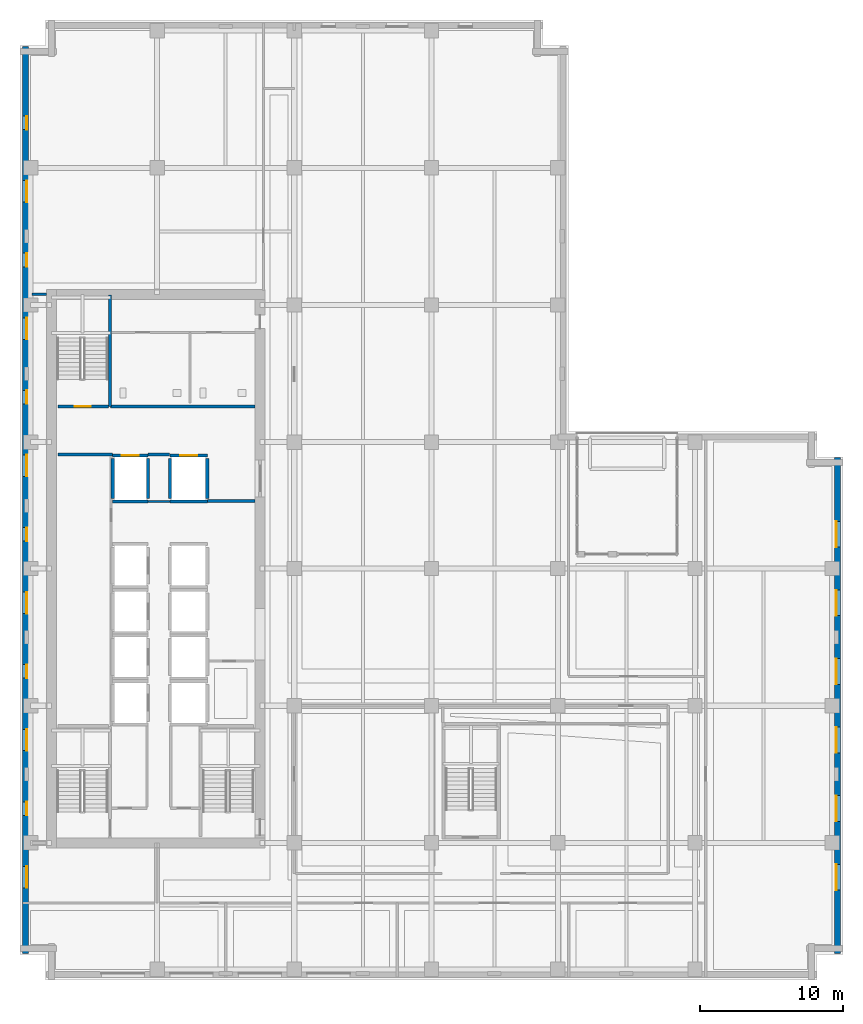
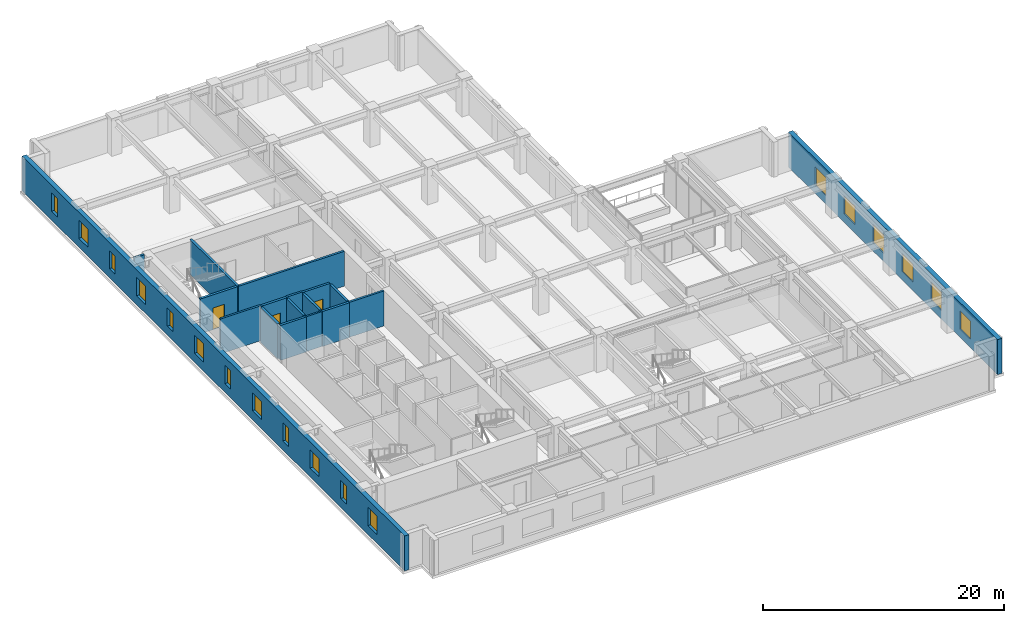
# One storey, part 6 of 16: 18 walls, 18 windows, 3 doors, 21 openings.
"""IFC4 building model written with IfcOpenShell, lengths in metres."""

from ifc_helpers import new_model, si_unit, direction, frame, frame_2d, origin, place, context, subcontext, project, spatial, rectangle, extrude, material, layer, layer_set, type_object, element, fill, save


model = new_model("IFC4")

# Units and contexts
model_context = context("Model", 3, precision=1e-05, world=origin(), true_north=direction((0.0, 1.0)))
body_context = subcontext(model_context, "Body", "Model", "MODEL_VIEW")
ifc_project = project(units=[si_unit("LENGTHUNIT", "METRE"), si_unit("AREAUNIT", "SQUARE_METRE"), si_unit("VOLUMEUNIT", "CUBIC_METRE"), si_unit("PLANEANGLEUNIT", "RADIAN"), si_unit("MASSUNIT", "GRAM", prefix="KILO")], contexts=[model_context])

# Site, building, storey
site_placement = place(None, origin())
site = spatial("IfcSite", under=ifc_project, at=site_placement, CompositionType="ELEMENT")
building_placement = place(site_placement, origin())
building = spatial("IfcBuilding", under=site, at=building_placement, Name="Norrvale University Quadrangle", CompositionType="ELEMENT")
storey_placement = place(building_placement, frame((0.0, 0.0, 112.800048828125)))
storey = spatial("IfcBuildingStorey", under=building, at=storey_placement, Name="L28", CompositionType="ELEMENT", Elevation=112.800048828125)

# Wall, openings, windows
ifc_material_1 = material(Name="Buff Norman Clay Brick Masonry", Category="masonry")
ifc_layer_1 = layer(ifc_material_1, 0.419921875, Name="Buff Norman Clay Brick Masonry")
ifc_layer_set_1 = layer_set([ifc_layer_1], Name="Buff Norman Clay Brick Masonry")
wall_type_1 = type_object("IfcWallType", Name="Wall Buff Brick 420", PredefinedType="SOLIDWALL", material=ifc_layer_set_1)
wall_1_placement = place(storey_placement, frame((57.2099609375, 1.840087890625, 0.0), z_axis=(0.0, 0.0, 1.0), x_axis=(0.0, 1.0, 0.0)))
wall_1 = element("IfcWall", 1, at=wall_1_placement, inside=storey, type_object=wall_type_1, Name="Exterior Brick Facade Wall L28-04.1", PredefinedType="SOLIDWALL", context=body_context, shape_type="SweptSolid", body=[
    extrude(rectangle(XDim=34.719970703125, YDim=0.419921875, at=frame_2d((17.35986328125, 0.0))), origin(), (0.0, 0.0, 1.0), 3.5400390625),
])
opening_1_placement = place(wall_1_placement, frame((4.4599609375, 0.0, 0.85009765625)))
opening_1 = element("IfcOpeningElement", 2, at=opening_1_placement, cuts=wall_1, Name="Opening W01", PredefinedType="OPENING", context=body_context, shape_type="SweptSolid", body=[
    extrude(rectangle(XDim=1.800048828125, YDim=1.85009765625, at=frame_2d((0.89990234375, 0.925048828125))), frame((0.0, 0.221923828125, 0.0), z_axis=(0.0, -1.0, 0.0), x_axis=(1.0, 0.0, 0.0)), (0.0, 0.0, 1.0), 0.44384765625),
])
opening_2_placement = place(wall_1_placement, frame((9.260009765625, 0.0, 0.85009765625)))
opening_2 = element("IfcOpeningElement", 3, at=opening_2_placement, cuts=wall_1, Name="Opening W01", PredefinedType="OPENING", context=body_context, shape_type="SweptSolid", body=[
    extrude(rectangle(XDim=1.800048828125, YDim=1.85009765625, at=frame_2d((0.89990234375, 0.925048828125))), frame((0.0, 0.221923828125, 0.0), z_axis=(0.0, -1.0, 0.0), x_axis=(1.0, 0.0, 0.0)), (0.0, 0.0, 1.0), 0.44384765625),
])
opening_3_placement = place(wall_1_placement, frame((14.06005859375, 0.0, 0.85009765625)))
opening_3 = element("IfcOpeningElement", 4, at=opening_3_placement, cuts=wall_1, Name="Opening W01", PredefinedType="OPENING", context=body_context, shape_type="SweptSolid", body=[
    extrude(rectangle(XDim=1.800048828125, YDim=1.85009765625, at=frame_2d((0.89990234375, 0.925048828125))), frame((0.0, 0.221923828125, 0.0), z_axis=(0.0, -1.0, 0.0), x_axis=(1.0, 0.0, 0.0)), (0.0, 0.0, 1.0), 0.44384765625),
])
opening_4_placement = place(wall_1_placement, frame((18.860107421875, 0.0, 0.85009765625)))
opening_4 = element("IfcOpeningElement", 5, at=opening_4_placement, cuts=wall_1, Name="Opening W01", PredefinedType="OPENING", context=body_context, shape_type="SweptSolid", body=[
    extrude(rectangle(XDim=1.800048828125, YDim=1.85009765625, at=frame_2d((0.89990234375, 0.925048828125))), frame((0.0, 0.221923828125, 0.0), z_axis=(0.0, -1.0, 0.0), x_axis=(1.0, 0.0, 0.0)), (0.0, 0.0, 1.0), 0.44384765625),
])
opening_5_placement = place(wall_1_placement, frame((23.659912109375, 0.0, 0.85009765625)))
opening_5 = element("IfcOpeningElement", 6, at=opening_5_placement, cuts=wall_1, Name="Opening W01", PredefinedType="OPENING", context=body_context, shape_type="SweptSolid", body=[
    extrude(rectangle(XDim=1.800048828125, YDim=1.85009765625, at=frame_2d((0.89990234375, 0.925048828125))), frame((0.0, 0.221923828125, 0.0), z_axis=(0.0, -1.0, 0.0), x_axis=(1.0, 0.0, 0.0)), (0.0, 0.0, 1.0), 0.44384765625),
])
opening_6_placement = place(wall_1_placement, frame((28.4599609375, 0.0, 0.85009765625)))
opening_6 = element("IfcOpeningElement", 7, at=opening_6_placement, cuts=wall_1, Name="Opening W01", PredefinedType="OPENING", context=body_context, shape_type="SweptSolid", body=[
    extrude(rectangle(XDim=1.800048828125, YDim=1.85009765625, at=frame_2d((0.89990234375, 0.925048828125))), frame((0.0, 0.221923828125, 0.0), z_axis=(0.0, -1.0, 0.0), x_axis=(1.0, 0.0, 0.0)), (0.0, 0.0, 1.0), 0.44384765625),
])
ifc_material_2 = material(Name="Triple Low-E Argon Glazing", Category="glass")
window_type_1 = type_object("IfcWindowType", Name="Window Academic 1800x2300", PartitioningType="DOUBLE_PANEL_VERTICAL", PredefinedType="WINDOW", material=ifc_material_2)
window_1_placement = place(opening_1_placement, origin())
window_1 = element("IfcWindow", 8, at=window_1_placement, inside=storey, type_object=window_type_1, Name="Window Academic 1800x2300 WIN-L28-E04-1-01", OverallHeight=1.85009765625, OverallWidth=1.800048828125, PartitioningType="DOUBLE_PANEL_VERTICAL", PredefinedType="WINDOW", context=body_context, shape_type="SweptSolid", body=[
    extrude(rectangle(XDim=1.800048828125, YDim=1.85009765625, at=frame_2d((0.89990234375, 0.925048828125))), frame((0.0, 0.110107421875, 0.0), z_axis=(0.0, -1.0, 0.0), x_axis=(1.0, 0.0, 0.0)), (0.0, 0.0, 1.0), 0.06005859375),
])
fill(opening_1, window_1)
window_2_placement = place(opening_2_placement, origin())
window_2 = element("IfcWindow", 9, at=window_2_placement, inside=storey, type_object=window_type_1, Name="Window Academic 1800x2300 WIN-L28-E04-1-02", OverallHeight=1.85009765625, OverallWidth=1.800048828125, PartitioningType="DOUBLE_PANEL_VERTICAL", PredefinedType="WINDOW", context=body_context, shape_type="SweptSolid", body=[
    extrude(rectangle(XDim=1.800048828125, YDim=1.85009765625, at=frame_2d((0.89990234375, 0.925048828125))), frame((0.0, 0.110107421875, 0.0), z_axis=(0.0, -1.0, 0.0), x_axis=(1.0, 0.0, 0.0)), (0.0, 0.0, 1.0), 0.06005859375),
])
fill(opening_2, window_2)
window_3_placement = place(opening_3_placement, origin())
window_3 = element("IfcWindow", 10, at=window_3_placement, inside=storey, type_object=window_type_1, Name="Window Academic 1800x2300 WIN-L28-E04-1-03", OverallHeight=1.85009765625, OverallWidth=1.800048828125, PartitioningType="DOUBLE_PANEL_VERTICAL", PredefinedType="WINDOW", context=body_context, shape_type="SweptSolid", body=[
    extrude(rectangle(XDim=1.800048828125, YDim=1.85009765625, at=frame_2d((0.89990234375, 0.925048828125))), frame((0.0, 0.110107421875, 0.0), z_axis=(0.0, -1.0, 0.0), x_axis=(1.0, 0.0, 0.0)), (0.0, 0.0, 1.0), 0.06005859375),
])
fill(opening_3, window_3)
window_4_placement = place(opening_4_placement, origin())
window_4 = element("IfcWindow", 11, at=window_4_placement, inside=storey, type_object=window_type_1, Name="Window Academic 1800x2300 WIN-L28-E04-1-04", OverallHeight=1.85009765625, OverallWidth=1.800048828125, PartitioningType="DOUBLE_PANEL_VERTICAL", PredefinedType="WINDOW", context=body_context, shape_type="SweptSolid", body=[
    extrude(rectangle(XDim=1.800048828125, YDim=1.85009765625, at=frame_2d((0.89990234375, 0.925048828125))), frame((0.0, 0.110107421875, 0.0), z_axis=(0.0, -1.0, 0.0), x_axis=(1.0, 0.0, 0.0)), (0.0, 0.0, 1.0), 0.06005859375),
])
fill(opening_4, window_4)
window_5_placement = place(opening_5_placement, origin())
window_5 = element("IfcWindow", 12, at=window_5_placement, inside=storey, type_object=window_type_1, Name="Window Academic 1800x2300 WIN-L28-E04-1-05", OverallHeight=1.85009765625, OverallWidth=1.800048828125, PartitioningType="DOUBLE_PANEL_VERTICAL", PredefinedType="WINDOW", context=body_context, shape_type="SweptSolid", body=[
    extrude(rectangle(XDim=1.800048828125, YDim=1.85009765625, at=frame_2d((0.89990234375, 0.925048828125))), frame((0.0, 0.110107421875, 0.0), z_axis=(0.0, -1.0, 0.0), x_axis=(1.0, 0.0, 0.0)), (0.0, 0.0, 1.0), 0.06005859375),
])
fill(opening_5, window_5)
window_6_placement = place(opening_6_placement, origin())
window_6 = element("IfcWindow", 13, at=window_6_placement, inside=storey, type_object=window_type_1, Name="Window Academic 1800x2300 WIN-L28-E04-1-06", OverallHeight=1.85009765625, OverallWidth=1.800048828125, PartitioningType="DOUBLE_PANEL_VERTICAL", PredefinedType="WINDOW", context=body_context, shape_type="SweptSolid", body=[
    extrude(rectangle(XDim=1.800048828125, YDim=1.85009765625, at=frame_2d((0.89990234375, 0.925048828125))), frame((0.0, 0.110107421875, 0.0), z_axis=(0.0, -1.0, 0.0), x_axis=(1.0, 0.0, 0.0)), (0.0, 0.0, 1.0), 0.06005859375),
])
fill(opening_6, window_6)

wall_2_placement = place(storey_placement, frame((0.389892578125, 65.360107421875, 0.0), z_axis=(0.0, 0.0, 1.0), x_axis=(0.0, -1.0, 0.0)))
wall_2 = element("IfcWall", 14, at=wall_2_placement, inside=storey, type_object=wall_type_1, Name="Exterior Brick Facade Wall L28-14.1", PredefinedType="SOLIDWALL", context=body_context, shape_type="SweptSolid", body=[
    extrude(rectangle(XDim=63.52001953125, YDim=0.419921875, at=frame_2d((31.760009765625, 0.0))), origin(), (0.0, 0.0, 1.0), 3.5400390625),
])
opening_7_placement = place(wall_2_placement, frame((4.885009765625, 0.0, 0.89990234375)))
opening_7 = element("IfcOpeningElement", 15, at=opening_7_placement, cuts=wall_2, Name="Opening W04", PredefinedType="OPENING", context=body_context, shape_type="SweptSolid", body=[
    extrude(rectangle(XDim=0.949951171875, YDim=1.85009765625, at=frame_2d((0.47509765625, 0.925048828125))), frame((0.0, 0.221923828125, 0.0), z_axis=(0.0, -1.0, 0.0), x_axis=(1.0, 0.0, 0.0)), (0.0, 0.0, 1.0), 0.44384765625),
])
opening_8_placement = place(wall_2_placement, frame((9.409912109375, 0.0, 0.89990234375)))
opening_8 = element("IfcOpeningElement", 16, at=opening_8_placement, cuts=wall_2, Name="Opening W03", PredefinedType="OPENING", context=body_context, shape_type="SweptSolid", body=[
    extrude(rectangle(XDim=1.5, YDim=1.85009765625, at=frame_2d((0.75, 0.925048828125))), frame((0.0, 0.221923828125, 0.0), z_axis=(0.0, -1.0, 0.0), x_axis=(1.0, 0.0, 0.0)), (0.0, 0.0, 1.0), 0.44384765625),
])
opening_9_placement = place(wall_2_placement, frame((14.485107421875, 0.0, 0.89990234375)))
opening_9 = element("IfcOpeningElement", 17, at=opening_9_placement, cuts=wall_2, Name="Opening W04", PredefinedType="OPENING", context=body_context, shape_type="SweptSolid", body=[
    extrude(rectangle(XDim=0.949951171875, YDim=1.85009765625, at=frame_2d((0.47509765625, 0.925048828125))), frame((0.0, 0.221923828125, 0.0), z_axis=(0.0, -1.0, 0.0), x_axis=(1.0, 0.0, 0.0)), (0.0, 0.0, 1.0), 0.44384765625),
])
opening_10_placement = place(wall_2_placement, frame((19.010009765625, 0.0, 0.89990234375)))
opening_10 = element("IfcOpeningElement", 18, at=opening_10_placement, cuts=wall_2, Name="Opening W03", PredefinedType="OPENING", context=body_context, shape_type="SweptSolid", body=[
    extrude(rectangle(XDim=1.5, YDim=1.85009765625, at=frame_2d((0.75, 0.925048828125))), frame((0.0, 0.221923828125, 0.0), z_axis=(0.0, -1.0, 0.0), x_axis=(1.0, 0.0, 0.0)), (0.0, 0.0, 1.0), 0.44384765625),
])
opening_11_placement = place(wall_2_placement, frame((24.0849609375, 0.0, 0.89990234375)))
opening_11 = element("IfcOpeningElement", 19, at=opening_11_placement, cuts=wall_2, Name="Opening W04", PredefinedType="OPENING", context=body_context, shape_type="SweptSolid", body=[
    extrude(rectangle(XDim=0.949951171875, YDim=1.85009765625, at=frame_2d((0.47509765625, 0.925048828125))), frame((0.0, 0.221923828125, 0.0), z_axis=(0.0, -1.0, 0.0), x_axis=(1.0, 0.0, 0.0)), (0.0, 0.0, 1.0), 0.44384765625),
])
opening_12_placement = place(wall_2_placement, frame((28.610107421875, 0.0, 0.89990234375)))
opening_12 = element("IfcOpeningElement", 20, at=opening_12_placement, cuts=wall_2, Name="Opening W03", PredefinedType="OPENING", context=body_context, shape_type="SweptSolid", body=[
    extrude(rectangle(XDim=1.5, YDim=1.85009765625, at=frame_2d((0.75, 0.925048828125))), frame((0.0, 0.221923828125, 0.0), z_axis=(0.0, -1.0, 0.0), x_axis=(1.0, 0.0, 0.0)), (0.0, 0.0, 1.0), 0.44384765625),
])
opening_13_placement = place(wall_2_placement, frame((33.68505859375, 0.0, 0.89990234375)))
opening_13 = element("IfcOpeningElement", 21, at=opening_13_placement, cuts=wall_2, Name="Opening W04", PredefinedType="OPENING", context=body_context, shape_type="SweptSolid", body=[
    extrude(rectangle(XDim=0.949951171875, YDim=1.85009765625, at=frame_2d((0.47509765625, 0.925048828125))), frame((0.0, 0.221923828125, 0.0), z_axis=(0.0, -1.0, 0.0), x_axis=(1.0, 0.0, 0.0)), (0.0, 0.0, 1.0), 0.44384765625),
])
opening_14_placement = place(wall_2_placement, frame((38.2099609375, 0.0, 0.89990234375)))
opening_14 = element("IfcOpeningElement", 22, at=opening_14_placement, cuts=wall_2, Name="Opening W03", PredefinedType="OPENING", context=body_context, shape_type="SweptSolid", body=[
    extrude(rectangle(XDim=1.5, YDim=1.85009765625, at=frame_2d((0.75, 0.925048828125))), frame((0.0, 0.221923828125, 0.0), z_axis=(0.0, -1.0, 0.0), x_axis=(1.0, 0.0, 0.0)), (0.0, 0.0, 1.0), 0.44384765625),
])
opening_15_placement = place(wall_2_placement, frame((43.284912109375, 0.0, 0.89990234375)))
opening_15 = element("IfcOpeningElement", 23, at=opening_15_placement, cuts=wall_2, Name="Opening W04", PredefinedType="OPENING", context=body_context, shape_type="SweptSolid", body=[
    extrude(rectangle(XDim=0.949951171875, YDim=1.85009765625, at=frame_2d((0.47509765625, 0.925048828125))), frame((0.0, 0.221923828125, 0.0), z_axis=(0.0, -1.0, 0.0), x_axis=(1.0, 0.0, 0.0)), (0.0, 0.0, 1.0), 0.44384765625),
])
opening_16_placement = place(wall_2_placement, frame((47.81005859375, 0.0, 0.89990234375)))
opening_16 = element("IfcOpeningElement", 24, at=opening_16_placement, cuts=wall_2, Name="Opening W03", PredefinedType="OPENING", context=body_context, shape_type="SweptSolid", body=[
    extrude(rectangle(XDim=1.5, YDim=1.85009765625, at=frame_2d((0.75, 0.925048828125))), frame((0.0, 0.221923828125, 0.0), z_axis=(0.0, -1.0, 0.0), x_axis=(1.0, 0.0, 0.0)), (0.0, 0.0, 1.0), 0.44384765625),
])
opening_17_placement = place(wall_2_placement, frame((52.885009765625, 0.0, 0.89990234375)))
opening_17 = element("IfcOpeningElement", 25, at=opening_17_placement, cuts=wall_2, Name="Opening W04", PredefinedType="OPENING", context=body_context, shape_type="SweptSolid", body=[
    extrude(rectangle(XDim=0.949951171875, YDim=1.85009765625, at=frame_2d((0.47509765625, 0.925048828125))), frame((0.0, 0.221923828125, 0.0), z_axis=(0.0, -1.0, 0.0), x_axis=(1.0, 0.0, 0.0)), (0.0, 0.0, 1.0), 0.44384765625),
])
opening_18_placement = place(wall_2_placement, frame((57.409912109375, 0.0, 0.89990234375)))
opening_18 = element("IfcOpeningElement", 26, at=opening_18_placement, cuts=wall_2, Name="Opening W03", PredefinedType="OPENING", context=body_context, shape_type="SweptSolid", body=[
    extrude(rectangle(XDim=1.5, YDim=1.85009765625, at=frame_2d((0.75, 0.925048828125))), frame((0.0, 0.221923828125, 0.0), z_axis=(0.0, -1.0, 0.0), x_axis=(1.0, 0.0, 0.0)), (0.0, 0.0, 1.0), 0.44384765625),
])
window_type_2 = type_object("IfcWindowType", Name="Window Narrow Pier 950x2300", PartitioningType="SINGLE_PANEL", PredefinedType="WINDOW", material=ifc_material_2)
window_7_placement = place(opening_7_placement, origin())
window_7 = element("IfcWindow", 27, at=window_7_placement, inside=storey, type_object=window_type_2, Name="Window Narrow Pier 950x2300 WIN-L28-E14-1-01", OverallHeight=1.85009765625, OverallWidth=0.949951171875, PartitioningType="SINGLE_PANEL", PredefinedType="WINDOW", context=body_context, shape_type="SweptSolid", body=[
    extrude(rectangle(XDim=0.949951171875, YDim=1.85009765625, at=frame_2d((0.47509765625, 0.925048828125))), frame((0.0, 0.110107421875, 0.0), z_axis=(0.0, -1.0, 0.0), x_axis=(1.0, 0.0, 0.0)), (0.0, 0.0, 1.0), 0.06005859375),
])
fill(opening_7, window_7)
window_8_placement = place(opening_9_placement, origin())
window_8 = element("IfcWindow", 28, at=window_8_placement, inside=storey, type_object=window_type_2, Name="Window Narrow Pier 950x2300 WIN-L28-E14-1-03", OverallHeight=1.85009765625, OverallWidth=0.949951171875, PartitioningType="SINGLE_PANEL", PredefinedType="WINDOW", context=body_context, shape_type="SweptSolid", body=[
    extrude(rectangle(XDim=0.949951171875, YDim=1.85009765625, at=frame_2d((0.47509765625, 0.925048828125))), frame((0.0, 0.110107421875, 0.0), z_axis=(0.0, -1.0, 0.0), x_axis=(1.0, 0.0, 0.0)), (0.0, 0.0, 1.0), 0.06005859375),
])
fill(opening_9, window_8)
window_9_placement = place(opening_11_placement, origin())
window_9 = element("IfcWindow", 29, at=window_9_placement, inside=storey, type_object=window_type_2, Name="Window Narrow Pier 950x2300 WIN-L28-E14-1-05", OverallHeight=1.85009765625, OverallWidth=0.949951171875, PartitioningType="SINGLE_PANEL", PredefinedType="WINDOW", context=body_context, shape_type="SweptSolid", body=[
    extrude(rectangle(XDim=0.949951171875, YDim=1.85009765625, at=frame_2d((0.47509765625, 0.925048828125))), frame((0.0, 0.110107421875, 0.0), z_axis=(0.0, -1.0, 0.0), x_axis=(1.0, 0.0, 0.0)), (0.0, 0.0, 1.0), 0.06005859375),
])
fill(opening_11, window_9)
window_10_placement = place(opening_13_placement, origin())
window_10 = element("IfcWindow", 30, at=window_10_placement, inside=storey, type_object=window_type_2, Name="Window Narrow Pier 950x2300 WIN-L28-E14-1-07", OverallHeight=1.85009765625, OverallWidth=0.949951171875, PartitioningType="SINGLE_PANEL", PredefinedType="WINDOW", context=body_context, shape_type="SweptSolid", body=[
    extrude(rectangle(XDim=0.949951171875, YDim=1.85009765625, at=frame_2d((0.47509765625, 0.925048828125))), frame((0.0, 0.110107421875, 0.0), z_axis=(0.0, -1.0, 0.0), x_axis=(1.0, 0.0, 0.0)), (0.0, 0.0, 1.0), 0.06005859375),
])
fill(opening_13, window_10)
window_11_placement = place(opening_15_placement, origin())
window_11 = element("IfcWindow", 31, at=window_11_placement, inside=storey, type_object=window_type_2, Name="Window Narrow Pier 950x2300 WIN-L28-E14-1-09", OverallHeight=1.85009765625, OverallWidth=0.949951171875, PartitioningType="SINGLE_PANEL", PredefinedType="WINDOW", context=body_context, shape_type="SweptSolid", body=[
    extrude(rectangle(XDim=0.949951171875, YDim=1.85009765625, at=frame_2d((0.47509765625, 0.925048828125))), frame((0.0, 0.110107421875, 0.0), z_axis=(0.0, -1.0, 0.0), x_axis=(1.0, 0.0, 0.0)), (0.0, 0.0, 1.0), 0.06005859375),
])
fill(opening_15, window_11)
window_12_placement = place(opening_17_placement, origin())
window_12 = element("IfcWindow", 32, at=window_12_placement, inside=storey, type_object=window_type_2, Name="Window Narrow Pier 950x2300 WIN-L28-E14-1-11", OverallHeight=1.85009765625, OverallWidth=0.949951171875, PartitioningType="SINGLE_PANEL", PredefinedType="WINDOW", context=body_context, shape_type="SweptSolid", body=[
    extrude(rectangle(XDim=0.949951171875, YDim=1.85009765625, at=frame_2d((0.47509765625, 0.925048828125))), frame((0.0, 0.110107421875, 0.0), z_axis=(0.0, -1.0, 0.0), x_axis=(1.0, 0.0, 0.0)), (0.0, 0.0, 1.0), 0.06005859375),
])
fill(opening_17, window_12)
window_type_3 = type_object("IfcWindowType", Name="Window Studio 1500x2300", PartitioningType="DOUBLE_PANEL_VERTICAL", PredefinedType="WINDOW", material=ifc_material_2)
window_13_placement = place(opening_8_placement, origin())
window_13 = element("IfcWindow", 33, at=window_13_placement, inside=storey, type_object=window_type_3, Name="Window Studio 1500x2300 WIN-L28-E14-1-02", OverallHeight=1.85009765625, OverallWidth=1.5, PartitioningType="DOUBLE_PANEL_VERTICAL", PredefinedType="WINDOW", context=body_context, shape_type="SweptSolid", body=[
    extrude(rectangle(XDim=1.5, YDim=1.85009765625, at=frame_2d((0.75, 0.925048828125))), frame((0.0, 0.110107421875, 0.0), z_axis=(0.0, -1.0, 0.0), x_axis=(1.0, 0.0, 0.0)), (0.0, 0.0, 1.0), 0.06005859375),
])
fill(opening_8, window_13)
window_14_placement = place(opening_10_placement, origin())
window_14 = element("IfcWindow", 34, at=window_14_placement, inside=storey, type_object=window_type_3, Name="Window Studio 1500x2300 WIN-L28-E14-1-04", OverallHeight=1.85009765625, OverallWidth=1.5, PartitioningType="DOUBLE_PANEL_VERTICAL", PredefinedType="WINDOW", context=body_context, shape_type="SweptSolid", body=[
    extrude(rectangle(XDim=1.5, YDim=1.85009765625, at=frame_2d((0.75, 0.925048828125))), frame((0.0, 0.110107421875, 0.0), z_axis=(0.0, -1.0, 0.0), x_axis=(1.0, 0.0, 0.0)), (0.0, 0.0, 1.0), 0.06005859375),
])
fill(opening_10, window_14)
window_15_placement = place(opening_12_placement, origin())
window_15 = element("IfcWindow", 35, at=window_15_placement, inside=storey, type_object=window_type_3, Name="Window Studio 1500x2300 WIN-L28-E14-1-06", OverallHeight=1.85009765625, OverallWidth=1.5, PartitioningType="DOUBLE_PANEL_VERTICAL", PredefinedType="WINDOW", context=body_context, shape_type="SweptSolid", body=[
    extrude(rectangle(XDim=1.5, YDim=1.85009765625, at=frame_2d((0.75, 0.925048828125))), frame((0.0, 0.110107421875, 0.0), z_axis=(0.0, -1.0, 0.0), x_axis=(1.0, 0.0, 0.0)), (0.0, 0.0, 1.0), 0.06005859375),
])
fill(opening_12, window_15)
window_16_placement = place(opening_14_placement, origin())
window_16 = element("IfcWindow", 36, at=window_16_placement, inside=storey, type_object=window_type_3, Name="Window Studio 1500x2300 WIN-L28-E14-1-08", OverallHeight=1.85009765625, OverallWidth=1.5, PartitioningType="DOUBLE_PANEL_VERTICAL", PredefinedType="WINDOW", context=body_context, shape_type="SweptSolid", body=[
    extrude(rectangle(XDim=1.5, YDim=1.85009765625, at=frame_2d((0.75, 0.925048828125))), frame((0.0, 0.110107421875, 0.0), z_axis=(0.0, -1.0, 0.0), x_axis=(1.0, 0.0, 0.0)), (0.0, 0.0, 1.0), 0.06005859375),
])
fill(opening_14, window_16)
window_17_placement = place(opening_16_placement, origin())
window_17 = element("IfcWindow", 37, at=window_17_placement, inside=storey, type_object=window_type_3, Name="Window Studio 1500x2300 WIN-L28-E14-1-10", OverallHeight=1.85009765625, OverallWidth=1.5, PartitioningType="DOUBLE_PANEL_VERTICAL", PredefinedType="WINDOW", context=body_context, shape_type="SweptSolid", body=[
    extrude(rectangle(XDim=1.5, YDim=1.85009765625, at=frame_2d((0.75, 0.925048828125))), frame((0.0, 0.110107421875, 0.0), z_axis=(0.0, -1.0, 0.0), x_axis=(1.0, 0.0, 0.0)), (0.0, 0.0, 1.0), 0.06005859375),
])
fill(opening_16, window_17)
window_18_placement = place(opening_18_placement, origin())
window_18 = element("IfcWindow", 38, at=window_18_placement, inside=storey, type_object=window_type_3, Name="Window Studio 1500x2300 WIN-L28-E14-1-12", OverallHeight=1.85009765625, OverallWidth=1.5, PartitioningType="DOUBLE_PANEL_VERTICAL", PredefinedType="WINDOW", context=body_context, shape_type="SweptSolid", body=[
    extrude(rectangle(XDim=1.5, YDim=1.85009765625, at=frame_2d((0.75, 0.925048828125))), frame((0.0, 0.110107421875, 0.0), z_axis=(0.0, -1.0, 0.0), x_axis=(1.0, 0.0, 0.0)), (0.0, 0.0, 1.0), 0.06005859375),
])
fill(opening_18, window_18)

# Walls
ifc_material_3 = material(Name="Fire-Rated Gypsum Stud Partition")
ifc_layer_2 = layer(ifc_material_3, 0.14990234375, Name="Fire-Rated Gypsum Stud Partition")
ifc_layer_set_2 = layer_set([ifc_layer_2], Name="Fire-Rated Gypsum Stud Partition")
wall_type_2 = type_object("IfcWallType", Name="Wall Gypsum Corridor 150", PredefinedType="PARTITIONING", material=ifc_layer_set_2)
wall_3_placement = place(storey_placement, frame((8.965087890625, 33.489990234375, 0.0), z_axis=(0.0, 0.0, 1.0), x_axis=(1.0, 0.0, 0.0)))
element("IfcWall", 39, at=wall_3_placement, inside=storey, type_object=wall_type_2, Name="Interior Partition WL-L28-LL3", PredefinedType="PARTITIONING", context=body_context, shape_type="SweptSolid", body=[
    extrude(rectangle(XDim=1.52001953125, YDim=0.14990234375, at=frame_2d((0.760009765625, 0.0))), origin(), (0.0, 0.0, 1.0), 3.5400390625),
])
ifc_material_4 = material(Name="Concrete Blockwork 20 MPa Rated Wall", Category="masonry")
ifc_layer_3 = layer(ifc_material_4, 0.199951171875, Name="Concrete Blockwork 20 MPa Rated Wall")
ifc_layer_set_3 = layer_set([ifc_layer_3], Name="Concrete Blockwork 20 MPa Rated Wall")
wall_type_3 = type_object("IfcWallType", Name="Wall Lobby 200", PredefinedType="SOLIDWALL", material=ifc_layer_set_3)
wall_4_placement = place(storey_placement, frame((2.64990234375, 36.780029296875, 0.0), z_axis=(0.0, 0.0, 1.0), x_axis=(1.0, 0.0, 0.0)))
element("IfcWall", 40, at=wall_4_placement, inside=storey, type_object=wall_type_3, Name="Interior Partition WL-L28-FF1", PredefinedType="SOLIDWALL", context=body_context, shape_type="SweptSolid", body=[
    extrude(rectangle(XDim=3.830078125, YDim=0.199951171875, at=frame_2d((1.9150390625, 0.0))), origin(), (0.0, 0.0, 1.0), 3.5400390625),
])
wall_5_placement = place(storey_placement, frame((8.969970703125, 36.780029296875, 0.0), z_axis=(0.0, 0.0, 1.0), x_axis=(1.0, 0.0, 0.0)))
element("IfcWall", 41, at=wall_5_placement, inside=storey, type_object=wall_type_3, Name="Interior Partition WL-L28-FF2", PredefinedType="SOLIDWALL", context=body_context, shape_type="SweptSolid", body=[
    extrude(rectangle(XDim=1.510009765625, YDim=0.199951171875, at=frame_2d((0.7548828125, 0.0))), origin(), (0.0, 0.0, 1.0), 3.5400390625),
])
wall_6_placement = place(storey_placement, frame((13.1201171875, 33.52001953125, 0.0), z_axis=(0.0, 0.0, 1.0), x_axis=(1.0, 0.0, 0.0)))
element("IfcWall", 42, at=wall_6_placement, inside=storey, type_object=wall_type_3, Name="Interior Partition WL-L28-FF3", PredefinedType="SOLIDWALL", context=body_context, shape_type="SweptSolid", body=[
    extrude(rectangle(XDim=3.329833984375, YDim=0.199951171875, at=frame_2d((1.6650390625, 0.0))), origin(), (0.0, 0.0, 1.0), 3.5400390625),
])
wall_7_placement = place(storey_placement, frame((6.320068359375, 40.139892578125, 0.0), z_axis=(0.0, 0.0, 1.0), x_axis=(1.0, 0.0, 0.0)))
element("IfcWall", 43, at=wall_7_placement, inside=storey, type_object=wall_type_3, Name="Interior Partition WL-L28-FF4", PredefinedType="SOLIDWALL", context=body_context, shape_type="SweptSolid", body=[
    extrude(rectangle(XDim=10.1298828125, YDim=0.199951171875, at=frame_2d((5.06494140625, 0.0))), origin(), (0.0, 0.0, 1.0), 3.5400390625),
])
wall_8_placement = place(storey_placement, frame((0.85009765625, 48.0, 0.0), z_axis=(0.0, 0.0, 1.0), x_axis=(1.0, 0.0, 0.0)))
element("IfcWall", 44, at=wall_8_placement, inside=storey, type_object=wall_type_3, Name="Interior Partition WL-L28-CWRET-N", PredefinedType="SOLIDWALL", context=body_context, shape_type="SweptSolid", body=[
    extrude(rectangle(XDim=0.994873046875, YDim=0.199951171875, at=frame_2d((0.49755859375, 0.0))), origin(), (0.0, 0.0, 1.0), 3.5400390625),
])

# Wall, opening, door
ifc_material_5 = material(Name="Concrete Blockwork 20 MPa Fire Shaft", Category="masonry")
ifc_layer_4 = layer(ifc_material_5, 0.219970703125, Name="Concrete Blockwork 20 MPa Fire Shaft")
ifc_layer_set_4 = layer_set([ifc_layer_4], Name="Concrete Blockwork 20 MPa Fire Shaft")
wall_type_4 = type_object("IfcWallType", Name="Wall Shaft 220", PredefinedType="SOLIDWALL", material=ifc_layer_set_4)
wall_9_placement = place(storey_placement, frame((2.64990234375, 40.139892578125, 0.0), z_axis=(0.0, 0.0, 1.0), x_axis=(1.0, 0.0, 0.0)))
wall_9 = element("IfcWall", 45, at=wall_9_placement, inside=storey, type_object=wall_type_4, Name="Stair ST-02 South Shaft Wall L28", PredefinedType="SOLIDWALL", context=body_context, shape_type="SweptSolid", body=[
    extrude(rectangle(XDim=3.550048828125, YDim=0.219970703125, at=frame_2d((1.77490234375, 0.0))), origin(), (0.0, 0.0, 1.0), 3.5400390625),
])
opening_19_placement = place(wall_9_placement, frame((1.199951171875, 0.0, 0.0)))
opening_19 = element("IfcOpeningElement", 46, at=opening_19_placement, cuts=wall_9, Name="Opening D02", PredefinedType="OPENING", context=body_context, shape_type="SweptSolid", body=[
    extrude(rectangle(XDim=1.10009765625, YDim=2.199951171875, at=frame_2d((0.550048828125, 1.10009765625))), frame((0.0, 0.1220703125, 0.0), z_axis=(0.0, -1.0, 0.0), x_axis=(1.0, 0.0, 0.0)), (0.0, 0.0, 1.0), 0.243896484375),
])
ifc_material_6 = material(Name="Hollow Steel 350W Fire Door", Category="steel")
door_type_1 = type_object("IfcDoorType", Name="Door Stair Exit 1100x2200", OperationType="NOTDEFINED", PredefinedType="DOOR", material=ifc_material_6)
door_1_placement = place(opening_19_placement, origin())
door_1 = element("IfcDoor", 47, at=door_1_placement, inside=storey, type_object=door_type_1, Name="Door Stair Exit 1100x2200 DR-L28-ST02", OperationType="SINGLE_SWING_LEFT", OverallHeight=2.199951171875, OverallWidth=1.10009765625, PredefinedType="DOOR", context=body_context, shape_type="SweptSolid", body=[
    extrude(rectangle(XDim=1.10009765625, YDim=2.199951171875, at=frame_2d((0.550048828125, 1.10009765625))), frame((0.0, 0.02490234375, 0.0), z_axis=(0.0, -1.0, 0.0), x_axis=(1.0, 0.0, 0.0)), (0.0, 0.0, 1.0), 0.050048828125),
])
fill(opening_19, door_1)

# Walls
wall_10_placement = place(storey_placement, frame((6.31005859375, 40.139892578125, 0.0), z_axis=(0.0, 0.0, 1.0), x_axis=(0.0, 1.0, 0.0)))
element("IfcWall", 48, at=wall_10_placement, inside=storey, type_object=wall_type_4, Name="Stair ST-02 East Shaft Wall L28", PredefinedType="SOLIDWALL", context=body_context, shape_type="SweptSolid", body=[
    extrude(rectangle(XDim=7.81005859375, YDim=0.219970703125, at=frame_2d((3.905029296875, 0.0))), origin(), (0.0, 0.0, 1.0), 3.5400390625),
])
for number, where, z_axis, x_axis, name in (
    (49, (6.489990234375, 33.7099609375, 0.0), (0.0, 0.0, 1.0), (0.0, 1.0, 0.0), "Hoistway FFL-01 West Wall L28"),
    (50, (8.9599609375, 33.7099609375, 0.0), (0.0, 0.0, 1.0), (0.0, 1.0, 0.0), "Hoistway FFL-01 East Wall L28"),
):
    element("IfcWall", number, at=place(storey_placement, frame(where, z_axis=z_axis, x_axis=x_axis)), inside=storey, type_object=wall_type_4, Name=name, PredefinedType="SOLIDWALL", context=body_context, shape_type="SweptSolid", body=[
        extrude(rectangle(XDim=2.780029296875, YDim=0.219970703125, at=frame_2d((1.39013671875, 0.0))), origin(), (0.0, 0.0, 1.0), 3.5400390625),
    ])
wall_11_placement = place(storey_placement, frame((6.489990234375, 33.489990234375, 0.0), z_axis=(0.0, 0.0, 1.0), x_axis=(1.0, 0.0, 0.0)))
element("IfcWall", 51, at=wall_11_placement, inside=storey, type_object=wall_type_4, Name="Hoistway FFL-01 South Wall L28", PredefinedType="SOLIDWALL", context=body_context, shape_type="SweptSolid", body=[
    extrude(rectangle(XDim=2.469970703125, YDim=0.219970703125, at=frame_2d((1.23486328125, 0.0))), origin(), (0.0, 0.0, 1.0), 3.5400390625),
])

# Wall, opening, door
wall_12_placement = place(storey_placement, frame((6.489990234375, 36.7099609375, 0.0), z_axis=(0.0, 0.0, 1.0), x_axis=(1.0, 0.0, 0.0)))
wall_12 = element("IfcWall", 52, at=wall_12_placement, inside=storey, type_object=wall_type_4, Name="Hoistway FFL-01 North Wall L28", PredefinedType="SOLIDWALL", context=body_context, shape_type="SweptSolid", body=[
    extrude(rectangle(XDim=2.469970703125, YDim=0.219970703125, at=frame_2d((1.23486328125, 0.0))), origin(), (0.0, 0.0, 1.0), 3.5400390625),
])
opening_20_placement = place(wall_12_placement, frame((0.635009765625, 0.0, 0.0)))
opening_20 = element("IfcOpeningElement", 53, at=opening_20_placement, cuts=wall_12, Name="Opening LD2", PredefinedType="OPENING", context=body_context, shape_type="SweptSolid", body=[
    extrude(rectangle(XDim=1.199951171875, YDim=2.199951171875, at=frame_2d((0.60009765625, 1.10009765625))), frame((0.0, 0.1220703125, 0.0), z_axis=(0.0, -1.0, 0.0), x_axis=(1.0, 0.0, 0.0)), (0.0, 0.0, 1.0), 0.243896484375),
])
ifc_material_7 = material(Name="Stainless Steel 316L Firefighter Lift Door", Category="steel")
door_type_2 = type_object("IfcDoorType", Name="Door Fire Lift 1200x2200", OperationType="DOUBLE_DOOR_SLIDING", PredefinedType="DOOR", material=ifc_material_7)
door_2_placement = place(opening_20_placement, origin())
door_2 = element("IfcDoor", 54, at=door_2_placement, inside=storey, type_object=door_type_2, Name="Elevator Landing Door DR-L28-FFL-01", OperationType="DOUBLE_DOOR_SLIDING", OverallHeight=2.199951171875, OverallWidth=1.199951171875, PredefinedType="DOOR", context=body_context, shape_type="SweptSolid", body=[
    extrude(rectangle(XDim=1.199951171875, YDim=2.199951171875, at=frame_2d((0.60009765625, 1.10009765625))), frame((0.0, 0.02490234375, 0.0), z_axis=(0.0, -1.0, 0.0), x_axis=(1.0, 0.0, 0.0)), (0.0, 0.0, 1.0), 0.050048828125),
])
fill(opening_20, door_2)

# Walls
for number, where, z_axis, x_axis, name in (
    (55, (10.489990234375, 33.7099609375, 0.0), (0.0, 0.0, 1.0), (0.0, 1.0, 0.0), "Hoistway FFL-02 West Wall L28"),
    (56, (13.110107421875, 33.7099609375, 0.0), (0.0, 0.0, 1.0), (0.0, 1.0, 0.0), "Hoistway FFL-02 East Wall L28"),
):
    element("IfcWall", number, at=place(storey_placement, frame(where, z_axis=z_axis, x_axis=x_axis)), inside=storey, type_object=wall_type_4, Name=name, PredefinedType="SOLIDWALL", context=body_context, shape_type="SweptSolid", body=[
        extrude(rectangle(XDim=2.780029296875, YDim=0.219970703125, at=frame_2d((1.39013671875, 0.0))), origin(), (0.0, 0.0, 1.0), 3.5400390625),
    ])
wall_13_placement = place(storey_placement, frame((10.489990234375, 33.489990234375, 0.0), z_axis=(0.0, 0.0, 1.0), x_axis=(1.0, 0.0, 0.0)))
element("IfcWall", 57, at=wall_13_placement, inside=storey, type_object=wall_type_4, Name="Hoistway FFL-02 South Wall L28", PredefinedType="SOLIDWALL", context=body_context, shape_type="SweptSolid", body=[
    extrude(rectangle(XDim=2.6201171875, YDim=0.219970703125, at=frame_2d((1.31005859375, 0.0))), origin(), (0.0, 0.0, 1.0), 3.5400390625),
])

# Wall, opening, door
wall_14_placement = place(storey_placement, frame((10.489990234375, 36.7099609375, 0.0), z_axis=(0.0, 0.0, 1.0), x_axis=(1.0, 0.0, 0.0)))
wall_14 = element("IfcWall", 58, at=wall_14_placement, inside=storey, type_object=wall_type_4, Name="Hoistway FFL-02 North Wall L28", PredefinedType="SOLIDWALL", context=body_context, shape_type="SweptSolid", body=[
    extrude(rectangle(XDim=2.6201171875, YDim=0.219970703125, at=frame_2d((1.31005859375, 0.0))), origin(), (0.0, 0.0, 1.0), 3.5400390625),
])
opening_21_placement = place(wall_14_placement, frame((0.7099609375, 0.0, 0.0)))
opening_21 = element("IfcOpeningElement", 59, at=opening_21_placement, cuts=wall_14, Name="Opening LD2", PredefinedType="OPENING", context=body_context, shape_type="SweptSolid", body=[
    extrude(rectangle(XDim=1.199951171875, YDim=2.199951171875, at=frame_2d((0.60009765625, 1.10009765625))), frame((0.0, 0.1220703125, 0.0), z_axis=(0.0, -1.0, 0.0), x_axis=(1.0, 0.0, 0.0)), (0.0, 0.0, 1.0), 0.243896484375),
])
door_3_placement = place(opening_21_placement, origin())
door_3 = element("IfcDoor", 60, at=door_3_placement, inside=storey, type_object=door_type_2, Name="Elevator Landing Door DR-L28-FFL-02", OperationType="DOUBLE_DOOR_SLIDING", OverallHeight=2.199951171875, OverallWidth=1.199951171875, PredefinedType="DOOR", context=body_context, shape_type="SweptSolid", body=[
    extrude(rectangle(XDim=1.199951171875, YDim=2.199951171875, at=frame_2d((0.60009765625, 1.10009765625))), frame((0.0, 0.02490234375, 0.0), z_axis=(0.0, -1.0, 0.0), x_axis=(1.0, 0.0, 0.0)), (0.0, 0.0, 1.0), 0.050048828125),
])
fill(opening_21, door_3)

save(model, "model.ifc")
